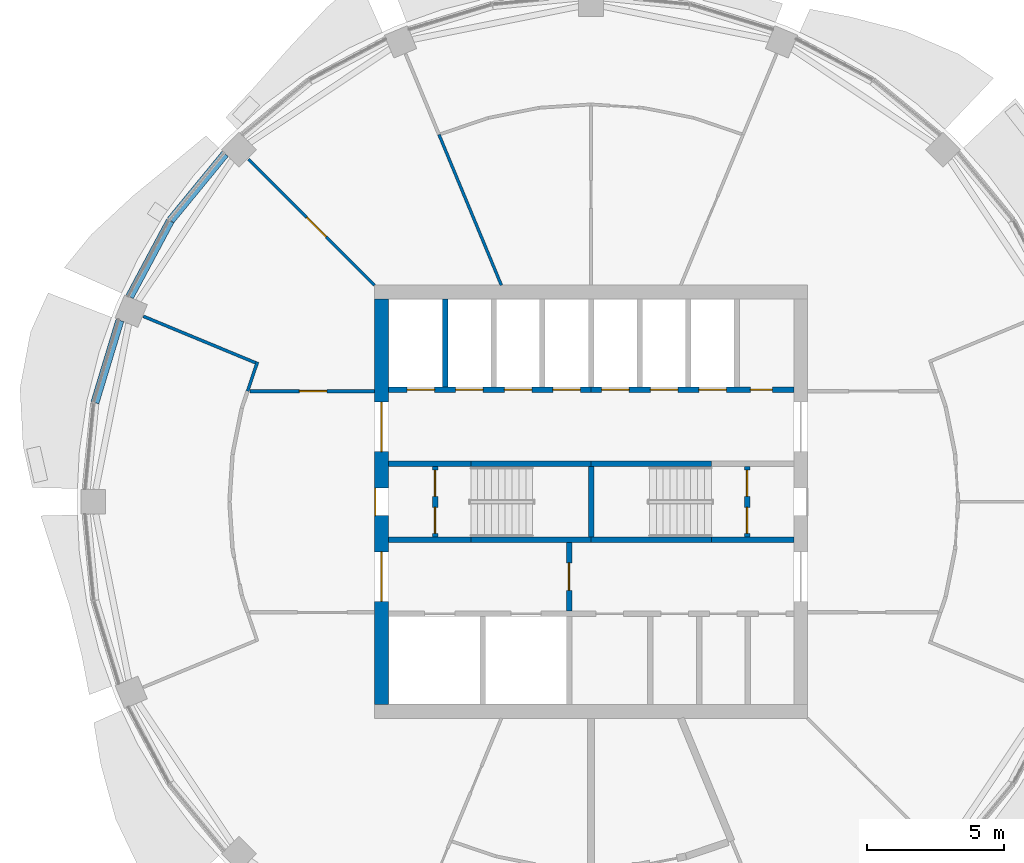
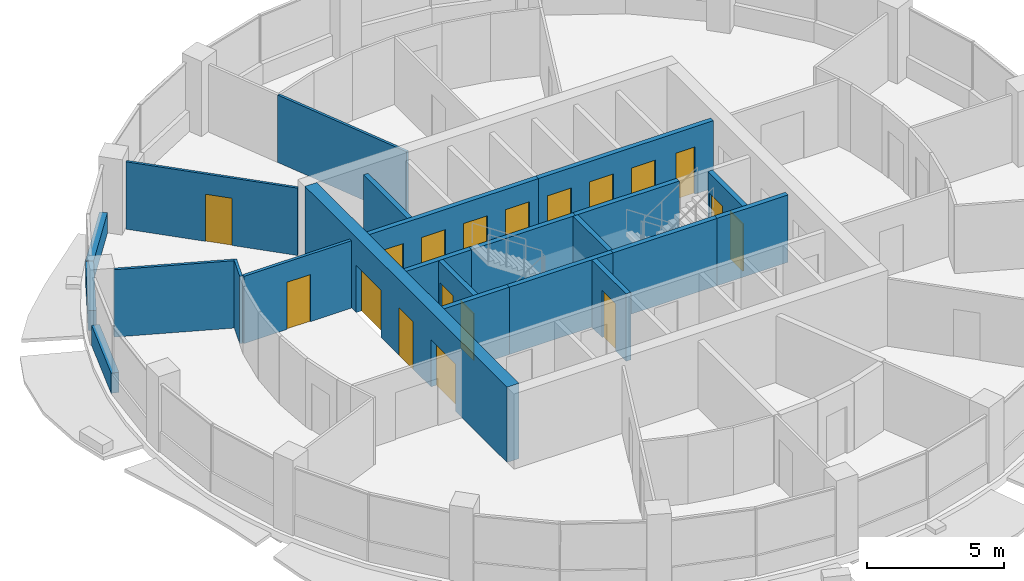
# One storey, part 9 of 15: 23 walls, 18 doors, 18 openings.
"""IFC4 building model written with IfcOpenShell, lengths in metres."""

import ifcopenshell
import ifcopenshell.guid

model = None  # the IFC model being written
_history = None  # IfcOwnerHistory: only IFC2X3 demands one
_inside = {}  # id of a spatial element -> (the spatial element, [elements in it])
_under = {}  # id of a project, library or spatial element -> (it, [spatial elements below it])
_declared = {}  # id of a project -> (the project, [libraries it declares])
_typed = {}  # id of a type object -> (the type object, [elements of that type])
_made_of = {}  # id of a material, layer set ... -> (it, [elements and type objects made of it])


def new_model(schema):
    """Start an empty IFC model of exactly this schema.

    Asked for "IFC4X3", IfcOpenShell would pick the latest addendum, in which some entities
    have other attributes; the version numbers below select the first issue.
    IFC2X3 requires an IfcOwnerHistory on every rooted entity: one is made here for all.
    """
    global model, _history
    if schema == "IFC4X3":
        model = ifcopenshell.file(schema_version=(4, 3, 0, 0))
    else:
        model = ifcopenshell.file(schema=schema)
    _inside.clear()
    _under.clear()
    _declared.clear()
    _typed.clear()
    _made_of.clear()
    _history = None
    if model.schema == "IFC2X3":
        org = make("IfcOrganization", Name="unknown")
        user = make(
            "IfcPersonAndOrganization",
            ThePerson=make("IfcPerson", FamilyName="unknown"),
            TheOrganization=org,
        )
        app = make(
            "IfcApplication",
            ApplicationDeveloper=org,
            Version="unknown",
            ApplicationFullName="unknown",
            ApplicationIdentifier="unknown",
        )
        _history = make(
            "IfcOwnerHistory",
            OwningUser=user,
            OwningApplication=app,
            ChangeAction="ADDED",
            CreationDate=0,
        )
    return model


def make(cls, **values):
    """One entity of the class cls with the attributes given. An attribute that is None is left unset."""
    return model.create_entity(
        cls, **{name: value for name, value in values.items() if value is not None}
    )


def rooted(cls, **values):
    """An entity with a GlobalId (a new one), such as an element, a storey or a relation."""
    return make(cls, GlobalId=ifcopenshell.guid.new(), OwnerHistory=_history, **values)


def si_unit(unit_type, name, prefix=None):
    """IfcSIUnit, for example si_unit("LENGTHUNIT", "METRE", prefix="MILLI")."""
    return make("IfcSIUnit", UnitType=unit_type, Prefix=prefix, Name=name)


def assignment(units):
    """IfcUnitAssignment: the units of a project."""
    return None if units is None else make("IfcUnitAssignment", Units=units)


def point(xyz):
    """IfcCartesianPoint."""
    return None if xyz is None else make("IfcCartesianPoint", Coordinates=xyz)


def direction(xyz):
    """IfcDirection."""
    return None if xyz is None else make("IfcDirection", DirectionRatios=xyz)


def frame(location, z_axis=None, x_axis=None):
    """IfcAxis2Placement3D, a coordinate frame: its origin and axes. An axis left out is left unset."""
    return make(
        "IfcAxis2Placement3D",
        Location=point(location),
        Axis=direction(z_axis),
        RefDirection=direction(x_axis),
    )


def frame_2d(location, x_axis=None):
    """IfcAxis2Placement2D, a coordinate frame in the plane: its origin and x axis."""
    return make(
        "IfcAxis2Placement2D", Location=point(location), RefDirection=direction(x_axis)
    )


def origin():
    """The frame at (0, 0, 0) with its axes left unset."""
    return frame((0.0, 0.0, 0.0))


def place(relative_to, where):
    """IfcLocalPlacement: puts the frame where relative to a parent placement (None: the world)."""
    return make(
        "IfcLocalPlacement", PlacementRelTo=relative_to, RelativePlacement=where
    )


def context(
    kind, dimensions, precision=None, world=None, true_north=None, identifier=None
):
    """IfcGeometricRepresentationContext, for example the 3D "Model" context."""
    return make(
        "IfcGeometricRepresentationContext",
        ContextIdentifier=identifier,
        ContextType=kind,
        CoordinateSpaceDimension=dimensions,
        Precision=precision,
        WorldCoordinateSystem=world,
        TrueNorth=true_north,
    )


def subcontext(parent, identifier, kind, view, scale=None):
    """IfcGeometricRepresentationSubContext, for example "Body" below "Model"."""
    return make(
        "IfcGeometricRepresentationSubContext",
        ContextIdentifier=identifier,
        ContextType=kind,
        ParentContext=parent,
        TargetScale=scale,
        TargetView=view,
    )


def project(units=None, contexts=None):
    """IfcProject with its units and contexts."""
    return rooted(
        "IfcProject",
        Name="project",
        RepresentationContexts=contexts,
        UnitsInContext=assignment(units),
    )


def spatial(cls, under=None, at=None, **own):
    """A site, building, storey or space (cls), placed at a placement, below another one or the project."""
    s = rooted(cls, ObjectPlacement=at, **own)
    if under is not None:
        _under.setdefault(under.id(), (under, []))[1].append(s)
    return s


def profile(cls, at=None, kind="AREA", **sizes):
    """A parametric profile (cls). Its sizes go by their IFC names, for example OverallWidth=200.0."""
    return make(cls, ProfileType=kind, Position=at, **sizes)


def rectangle(**sizes):
    """IfcRectangleProfileDef."""
    return profile("IfcRectangleProfileDef", **sizes)


def extrude(swept, where, along, depth):
    """IfcExtrudedAreaSolid: the profile swept, set in the frame where, extruded along a direction by depth."""
    return make(
        "IfcExtrudedAreaSolid",
        SweptArea=swept,
        Position=where,
        ExtrudedDirection=direction(along),
        Depth=depth,
    )


def shape(context_of_items, identifier, shape_type, items):
    """IfcShapeRepresentation: the items that make up one representation, for example the "Body"."""
    return make(
        "IfcShapeRepresentation",
        ContextOfItems=context_of_items,
        RepresentationIdentifier=identifier,
        RepresentationType=shape_type,
        Items=items,
    )


def material(Name=None, Category=None):
    """IfcMaterial."""
    return make("IfcMaterial", Name=Name, Category=Category)


def layer(
    of_material, thickness, ventilated=None, Name=None, Category=None, Priority=None
):
    """IfcMaterialLayer: one layer of a wall or slab, of a material (None: an air gap)."""
    return make(
        "IfcMaterialLayer",
        Material=of_material,
        LayerThickness=thickness,
        IsVentilated=ventilated,
        Name=Name,
        Category=Category,
        Priority=Priority,
    )


def layer_set(layers, Name=None):
    """IfcMaterialLayerSet."""
    return make("IfcMaterialLayerSet", MaterialLayers=layers, LayerSetName=Name)


def made_of(thing, what):
    """Note that an element or type object is made of a material, layer set ...; save() writes the relation."""
    if what is not None:
        _made_of.setdefault(what.id(), (what, []))[1].append(thing)
    return thing


def type_object(cls, material=None, **own):
    """A type object (cls), such as IfcWallType, which elements share."""
    return made_of(rooted(cls, **own), material)


def element(
    cls,
    number,
    at=None,
    inside=None,
    cuts=None,
    type_object=None,
    material=None,
    context=None,
    identifier="Body",
    shape_type=None,
    held_by="IfcProductDefinitionShape",
    body=None,
    shapes=None,
    **own,
):
    """One element of the class cls, such as IfcWall. Its Tag is "e" and its number.

    at: its placement. inside: the storey or other place that contains it. cuts: it is an
    opening in that element (IfcRelVoidsElement). A single representation is given by context,
    identifier, shape_type and body (its items); several are given by shapes. held_by: the class
    of the entity that holds the representations. save() writes the other relations.
    """
    e = rooted(cls, Tag="e%d" % number, ObjectPlacement=at, **own)
    if body is not None:
        shapes = [shape(context, identifier, shape_type, body)]
    if shapes is not None:
        e.Representation = make(held_by, Representations=shapes)
    if inside is not None:
        _inside.setdefault(inside.id(), (inside, []))[1].append(e)
    if cuts is not None:
        rooted(
            "IfcRelVoidsElement", RelatingBuildingElement=cuts, RelatedOpeningElement=e
        )
    if type_object is not None:
        _typed.setdefault(type_object.id(), (type_object, []))[1].append(e)
    return made_of(e, material)


def fill(opening, filler):
    """IfcRelFillsElement: the door or window that sits in an opening."""
    return rooted(
        "IfcRelFillsElement",
        RelatingOpeningElement=opening,
        RelatedBuildingElement=filler,
    )


def aggregate(whole, parts):
    """IfcRelAggregates: a whole, such as a stair, and the parts it consists of."""
    return rooted("IfcRelAggregates", RelatingObject=whole, RelatedObjects=parts)


def save(model, path):
    """Write the relations noted so far, then the file.

    IfcRelAggregates (storeys below a building ...), IfcRelContainedInSpatialStructure (elements
    in a storey), IfcRelDefinesByType, IfcRelAssociatesMaterial and IfcRelDeclares: one each for
    every whole, place, type object, material and project.
    """
    for whole, parts in _under.values():
        aggregate(whole, parts)
    for where, things in _inside.values():
        rooted(
            "IfcRelContainedInSpatialStructure",
            RelatedElements=things,
            RelatingStructure=where,
        )
    for kind, things in _typed.values():
        rooted("IfcRelDefinesByType", RelatedObjects=things, RelatingType=kind)
    for what, things in _made_of.values():
        rooted("IfcRelAssociatesMaterial", RelatedObjects=things, RelatingMaterial=what)
    for by, libraries in _declared.values():
        rooted("IfcRelDeclares", RelatingContext=by, RelatedDefinitions=libraries)
    model.write(path)


model = new_model("IFC4")

# Units and contexts
model_context = context("Model", 3, precision=1e-05, world=origin(), true_north=direction((0.0, 1.0)))
body_context = subcontext(model_context, "Body", "Model", "MODEL_VIEW")
ifc_project = project(units=[si_unit("LENGTHUNIT", "METRE"), si_unit("AREAUNIT", "SQUARE_METRE"), si_unit("VOLUMEUNIT", "CUBIC_METRE"), si_unit("PLANEANGLEUNIT", "RADIAN"), si_unit("MASSUNIT", "GRAM", prefix="KILO")], contexts=[model_context])

# Site, building, storey
site_placement = place(None, origin())
site = spatial("IfcSite", under=ifc_project, at=site_placement, CompositionType="ELEMENT")
building_placement = place(site_placement, origin())
building = spatial("IfcBuilding", under=site, at=building_placement, Name="Polderwave Tower", CompositionType="ELEMENT")
storey_placement = place(building_placement, frame((0.0, 0.0, 167.550048828125)))
storey = spatial("IfcBuildingStorey", under=building, at=storey_placement, Name="L44", CompositionType="ELEMENT", Elevation=167.550048828125)

# Wall, openings, doors
ifc_material_1 = material(Name="Concrete C60/75", Category="concrete")
ifc_layer_1 = layer(ifc_material_1, 0.5)
ifc_layer_set_1 = layer_set([ifc_layer_1], Name="CORE WALL 500 C60/75")
wall_type_1 = type_object("IfcWallType", Name="CORE WALL 500 C60/75", PredefinedType="SHEAR", material=ifc_layer_set_1)
wall_1_placement = place(storey_placement, frame((-7.6240234375, -7.3740234375, 0.0), z_axis=(0.0, 0.0, 1.0), x_axis=(0.0, 1.0, 0.0)))
wall_1 = element("IfcWall", 1, at=wall_1_placement, inside=storey, type_object=wall_type_1, Name="ST-CORE-L44-W", PredefinedType="SHEAR", context=body_context, shape_type="SweptSolid", body=[
    extrude(rectangle(XDim=14.748046875, YDim=0.5, at=frame_2d((7.3740234375, 0.0))), origin(), (0.0, 0.0, 1.0), 3.349853515625),
])
opening_1_placement = place(wall_1_placement, frame((6.8740234375, 0.0, 0.0)))
opening_1 = element("IfcOpeningElement", 2, at=opening_1_placement, cuts=wall_1, Name="Opening L44-D20", PredefinedType="OPENING", context=body_context, shape_type="SweptSolid", body=[
    extrude(rectangle(XDim=1.0, YDim=2.10009765625, at=frame_2d((0.5, 1.050048828125))), frame((0.0, 0.260009765625, 0.0), z_axis=(0.0, -1.0, 0.0), x_axis=(1.0, 0.0, 0.0)), (0.0, 0.0, 1.0), 0.52001953125),
])
opening_2_placement = place(wall_1_placement, frame((3.74951171875, 0.0, 0.0)))
opening_2 = element("IfcOpeningElement", 3, at=opening_2_placement, cuts=wall_1, Name="Opening L44-D21", PredefinedType="OPENING", context=body_context, shape_type="SweptSolid", body=[
    extrude(rectangle(XDim=1.800048828125, YDim=2.10009765625, at=frame_2d((0.89990234375, 1.050048828125))), frame((0.0, 0.260009765625, 0.0), z_axis=(0.0, -1.0, 0.0), x_axis=(1.0, 0.0, 0.0)), (0.0, 0.0, 1.0), 0.52001953125),
])
opening_3_placement = place(wall_1_placement, frame((9.198486328125, 0.0, 0.0)))
opening_3 = element("IfcOpeningElement", 4, at=opening_3_placement, cuts=wall_1, Name="Opening L44-D22", PredefinedType="OPENING", context=body_context, shape_type="SweptSolid", body=[
    extrude(rectangle(XDim=1.800048828125, YDim=2.10009765625, at=frame_2d((0.89990234375, 1.050048828125))), frame((0.0, 0.260009765625, 0.0), z_axis=(0.0, -1.0, 0.0), x_axis=(1.0, 0.0, 0.0)), (0.0, 0.0, 1.0), 0.52001953125),
])
ifc_material_2 = material(Name="Steel fire door", Category="steel")
door_type_1 = type_object("IfcDoorType", Name="Lobby entry door pair 1800", OperationType="DOUBLE_DOOR_SINGLE_SWING", PredefinedType="DOOR", material=ifc_material_2)
door_1_placement = place(opening_2_placement, origin())
door_1 = element("IfcDoor", 5, at=door_1_placement, inside=storey, type_object=door_type_1, Name="Fire-fighting lobby entry door", OperationType="DOUBLE_DOOR_SINGLE_SWING", OverallHeight=2.10009765625, OverallWidth=1.800048828125, PredefinedType="DOOR", context=body_context, shape_type="SweptSolid", body=[
    extrude(rectangle(XDim=1.800048828125, YDim=2.10009765625, at=frame_2d((0.89990234375, 1.050048828125))), frame((0.0, 0.02490234375, 0.0), z_axis=(0.0, -1.0, 0.0), x_axis=(1.0, 0.0, 0.0)), (0.0, 0.0, 1.0), 0.050048828125),
])
fill(opening_2, door_1)
door_2_placement = place(opening_3_placement, origin())
door_2 = element("IfcDoor", 6, at=door_2_placement, inside=storey, type_object=door_type_1, Name="North lobby entry door", OperationType="DOUBLE_DOOR_SINGLE_SWING", OverallHeight=2.10009765625, OverallWidth=1.800048828125, PredefinedType="DOOR", context=body_context, shape_type="SweptSolid", body=[
    extrude(rectangle(XDim=1.800048828125, YDim=2.10009765625, at=frame_2d((0.89990234375, 1.050048828125))), frame((0.0, 0.02490234375, 0.0), z_axis=(0.0, -1.0, 0.0), x_axis=(1.0, 0.0, 0.0)), (0.0, 0.0, 1.0), 0.050048828125),
])
fill(opening_3, door_2)
door_type_2 = type_object("IfcDoorType", Name="Stair door 1000", OperationType="NOTDEFINED", PredefinedType="DOOR", material=ifc_material_2)
door_3_placement = place(opening_1_placement, origin())
door_3 = element("IfcDoor", 7, at=door_3_placement, inside=storey, type_object=door_type_2, Name="Stair A entry door", OperationType="SINGLE_SWING_RIGHT", OverallHeight=2.10009765625, OverallWidth=1.0, PredefinedType="DOOR", context=body_context, shape_type="SweptSolid", body=[
    extrude(rectangle(XDim=1.0, YDim=2.10009765625, at=frame_2d((0.5, 1.050048828125))), frame((0.0, 0.25, 0.0), z_axis=(0.0, -1.0, 0.0), x_axis=(1.0, 0.0, 0.0)), (0.0, 0.0, 1.0), 0.050048828125),
])
fill(opening_1, door_3)

# Walls
ifc_material_3 = material(Name="Concrete C50/60 (board-marked)", Category="concrete")
ifc_layer_2 = layer(ifc_material_3, 0.300048828125)
ifc_layer_set_2 = layer_set([ifc_layer_2], Name="Concrete spandrel upstand C50/60")
wall_type_2 = type_object("IfcWallType", Name="Concrete spandrel upstand C50/60", PredefinedType="SOLIDWALL", material=ifc_layer_set_2)
wall_2_placement = place(storey_placement, frame((-13.306396484375, 12.6513671875, 0.0), z_axis=(0.0, 0.0, 1.0), x_axis=(-0.634198158195, -0.773170547901, 0.0)))
element("IfcWall", 8, at=wall_2_placement, inside=storey, type_object=wall_type_2, Name="Spandrel L44 7a", PredefinedType="SOLIDWALL", context=body_context, shape_type="SweptSolid", body=[
    extrude(rectangle(XDim=3.126953125, YDim=0.300048828125, at=frame_2d((1.5634765625, 0.0))), origin(), (0.0, 0.0, 1.0), 0.89990234375),
])
wall_3_placement = place(storey_placement, frame((-15.30615234375, 10.208740234375, 0.0), z_axis=(0.0, 0.0, 1.0), x_axis=(-0.47120441036, -0.882024038027, 0.0)))
element("IfcWall", 9, at=wall_3_placement, inside=storey, type_object=wall_type_2, Name="Spandrel L44 7b", PredefinedType="SOLIDWALL", context=body_context, shape_type="SweptSolid", body=[
    extrude(rectangle(XDim=3.125244140625, YDim=0.300048828125, at=frame_2d((1.5625, 0.0))), origin(), (0.0, 0.0, 1.0), 0.89990234375),
])
wall_4_placement = place(storey_placement, frame((-17.134521484375, 6.595703125, 0.0), z_axis=(0.0, 0.0, 1.0), x_axis=(-0.290083245834, -0.957001416136, 0.0)))
element("IfcWall", 10, at=wall_4_placement, inside=storey, type_object=wall_type_2, Name="Spandrel L44 8a", PredefinedType="SOLIDWALL", context=body_context, shape_type="SweptSolid", body=[
    extrude(rectangle(XDim=3.126708984375, YDim=0.300048828125, at=frame_2d((1.5634765625, 0.0))), origin(), (0.0, 0.0, 1.0), 0.89990234375),
])

# Wall, opening, door
ifc_material_4 = material(Name="Gypsum board partition")
ifc_layer_3 = layer(ifc_material_4, 0.199951171875)
ifc_layer_set_3 = layer_set([ifc_layer_3], Name="Core room partition 200")
wall_type_3 = type_object("IfcWallType", Name="Core room partition 200", PredefinedType="PARTITIONING", material=ifc_layer_set_3)
wall_5_placement = place(storey_placement, frame((-0.800048828125, -3.97412109375, 0.0), z_axis=(0.0, 0.0, 1.0), x_axis=(0.0, 1.0, 0.0)))
wall_5 = element("IfcWall", 11, at=wall_5_placement, inside=storey, type_object=wall_type_3, Name="L44 fire-fighting lobby wall", PredefinedType="PARTITIONING", context=body_context, shape_type="SweptSolid", body=[
    extrude(rectangle(XDim=2.4990234375, YDim=0.199951171875, at=frame_2d((1.24951171875, 0.0))), origin(), (0.0, 0.0, 1.0), 3.0),
])
opening_4_placement = place(wall_5_placement, frame((0.74951171875, 0.0, 0.0)))
opening_4 = element("IfcOpeningElement", 12, at=opening_4_placement, cuts=wall_5, Name="Opening L44-D14", PredefinedType="OPENING", context=body_context, shape_type="SweptSolid", body=[
    extrude(rectangle(XDim=1.0, YDim=2.10009765625, at=frame_2d((0.5, 1.050048828125))), frame((0.0, 0.10986328125, 0.0), z_axis=(0.0, -1.0, 0.0), x_axis=(1.0, 0.0, 0.0)), (0.0, 0.0, 1.0), 0.219970703125),
])
door_type_3 = type_object("IfcDoorType", Name="Lobby fire door 1000", OperationType="NOTDEFINED", PredefinedType="DOOR", material=ifc_material_2)
door_4_placement = place(opening_4_placement, frame((1.0, 0.0, 0.0), z_axis=(0.0, 0.0, 1.0), x_axis=(-1.0, 0.0, 0.0)))
door_4 = element("IfcDoor", 13, at=door_4_placement, inside=storey, type_object=door_type_3, Name="Fire-fighting lobby door", OperationType="SINGLE_SWING_LEFT", OverallHeight=2.10009765625, OverallWidth=1.0, PredefinedType="DOOR", context=body_context, shape_type="SweptSolid", body=[
    extrude(rectangle(XDim=1.0, YDim=2.10009765625, at=frame_2d((0.5, 1.050048828125))), frame((0.0, 0.02490234375, 0.0), z_axis=(0.0, -1.0, 0.0), x_axis=(1.0, 0.0, 0.0)), (0.0, 0.0, 1.0), 0.050048828125),
])
fill(opening_4, door_4)

# Wall, openings, doors
wall_6_placement = place(storey_placement, frame((-5.674072265625, -1.27490234375, 0.0), z_axis=(0.0, 0.0, 1.0), x_axis=(0.0, 1.0, 0.0)))
wall_6 = element("IfcWall", 14, at=wall_6_placement, inside=storey, type_object=wall_type_3, Name="L44 smoke lobby wall A", PredefinedType="PARTITIONING", context=body_context, shape_type="SweptSolid", body=[
    extrude(rectangle(XDim=2.5498046875, YDim=0.199951171875, at=frame_2d((1.27490234375, 0.0))), origin(), (0.0, 0.0, 1.0), 3.0),
])
opening_5_placement = place(wall_6_placement, frame((0.125, 0.0, 0.0)))
opening_5 = element("IfcOpeningElement", 15, at=opening_5_placement, cuts=wall_6, Name="Opening L44-D10", PredefinedType="OPENING", context=body_context, shape_type="SweptSolid", body=[
    extrude(rectangle(XDim=0.949951171875, YDim=2.10009765625, at=frame_2d((0.47509765625, 1.050048828125))), frame((0.0, 0.10986328125, 0.0), z_axis=(0.0, -1.0, 0.0), x_axis=(1.0, 0.0, 0.0)), (0.0, 0.0, 1.0), 0.219970703125),
])
opening_6_placement = place(wall_6_placement, frame((1.47509765625, 0.0, 0.0)))
opening_6 = element("IfcOpeningElement", 16, at=opening_6_placement, cuts=wall_6, Name="Opening L44-D11", PredefinedType="OPENING", context=body_context, shape_type="SweptSolid", body=[
    extrude(rectangle(XDim=0.949951171875, YDim=2.10009765625, at=frame_2d((0.47509765625, 1.050048828125))), frame((0.0, 0.10986328125, 0.0), z_axis=(0.0, -1.0, 0.0), x_axis=(1.0, 0.0, 0.0)), (0.0, 0.0, 1.0), 0.219970703125),
])
door_type_4 = type_object("IfcDoorType", Name="Smoke lobby door 950", OperationType="NOTDEFINED", PredefinedType="DOOR", material=ifc_material_2)
door_5_placement = place(opening_5_placement, origin())
door_5 = element("IfcDoor", 17, at=door_5_placement, inside=storey, type_object=door_type_4, Name="Stair A smoke lobby inner door", OperationType="SINGLE_SWING_LEFT", OverallHeight=2.10009765625, OverallWidth=0.949951171875, PredefinedType="DOOR", context=body_context, shape_type="SweptSolid", body=[
    extrude(rectangle(XDim=0.949951171875, YDim=2.10009765625, at=frame_2d((0.47509765625, 1.050048828125))), frame((0.0, 0.02490234375, 0.0), z_axis=(0.0, -1.0, 0.0), x_axis=(1.0, 0.0, 0.0)), (0.0, 0.0, 1.0), 0.050048828125),
])
fill(opening_5, door_5)
door_6_placement = place(opening_6_placement, origin())
door_6 = element("IfcDoor", 18, at=door_6_placement, inside=storey, type_object=door_type_4, Name="Stair A smoke lobby inner door", OperationType="SINGLE_SWING_RIGHT", OverallHeight=2.10009765625, OverallWidth=0.949951171875, PredefinedType="DOOR", context=body_context, shape_type="SweptSolid", body=[
    extrude(rectangle(XDim=0.949951171875, YDim=2.10009765625, at=frame_2d((0.47509765625, 1.050048828125))), frame((0.0, 0.02490234375, 0.0), z_axis=(0.0, -1.0, 0.0), x_axis=(1.0, 0.0, 0.0)), (0.0, 0.0, 1.0), 0.050048828125),
])
fill(opening_6, door_6)

wall_7_placement = place(storey_placement, frame((5.674072265625, -1.27490234375, 0.0), z_axis=(0.0, 0.0, 1.0), x_axis=(0.0, 1.0, 0.0)))
wall_7 = element("IfcWall", 19, at=wall_7_placement, inside=storey, type_object=wall_type_3, Name="L44 smoke lobby wall B", PredefinedType="PARTITIONING", context=body_context, shape_type="SweptSolid", body=[
    extrude(rectangle(XDim=2.5498046875, YDim=0.199951171875, at=frame_2d((1.27490234375, 0.0))), origin(), (0.0, 0.0, 1.0), 3.0),
])
opening_7_placement = place(wall_7_placement, frame((0.125, 0.0, 0.0)))
opening_7 = element("IfcOpeningElement", 20, at=opening_7_placement, cuts=wall_7, Name="Opening L44-D12", PredefinedType="OPENING", context=body_context, shape_type="SweptSolid", body=[
    extrude(rectangle(XDim=0.949951171875, YDim=2.10009765625, at=frame_2d((0.47509765625, 1.050048828125))), frame((0.0, 0.10986328125, 0.0), z_axis=(0.0, -1.0, 0.0), x_axis=(1.0, 0.0, 0.0)), (0.0, 0.0, 1.0), 0.219970703125),
])
opening_8_placement = place(wall_7_placement, frame((1.47509765625, 0.0, 0.0)))
opening_8 = element("IfcOpeningElement", 21, at=opening_8_placement, cuts=wall_7, Name="Opening L44-D13", PredefinedType="OPENING", context=body_context, shape_type="SweptSolid", body=[
    extrude(rectangle(XDim=0.949951171875, YDim=2.10009765625, at=frame_2d((0.47509765625, 1.050048828125))), frame((0.0, 0.10986328125, 0.0), z_axis=(0.0, -1.0, 0.0), x_axis=(1.0, 0.0, 0.0)), (0.0, 0.0, 1.0), 0.219970703125),
])
door_7_placement = place(opening_7_placement, frame((0.949951171875, 0.0, 0.0), z_axis=(0.0, 0.0, 1.0), x_axis=(-1.0, 0.0, 0.0)))
door_7 = element("IfcDoor", 22, at=door_7_placement, inside=storey, type_object=door_type_4, Name="Stair B smoke lobby inner door", OperationType="SINGLE_SWING_RIGHT", OverallHeight=2.10009765625, OverallWidth=0.949951171875, PredefinedType="DOOR", context=body_context, shape_type="SweptSolid", body=[
    extrude(rectangle(XDim=0.949951171875, YDim=2.10009765625, at=frame_2d((0.47509765625, 1.050048828125))), frame((0.0, 0.02490234375, 0.0), z_axis=(0.0, -1.0, 0.0), x_axis=(1.0, 0.0, 0.0)), (0.0, 0.0, 1.0), 0.050048828125),
])
fill(opening_7, door_7)
door_8_placement = place(opening_8_placement, frame((0.949951171875, 0.0, 0.0), z_axis=(0.0, 0.0, 1.0), x_axis=(-1.0, 0.0, 0.0)))
door_8 = element("IfcDoor", 23, at=door_8_placement, inside=storey, type_object=door_type_4, Name="Stair B smoke lobby inner door", OperationType="SINGLE_SWING_LEFT", OverallHeight=2.10009765625, OverallWidth=0.949951171875, PredefinedType="DOOR", context=body_context, shape_type="SweptSolid", body=[
    extrude(rectangle(XDim=0.949951171875, YDim=2.10009765625, at=frame_2d((0.47509765625, 1.050048828125))), frame((0.0, 0.02490234375, 0.0), z_axis=(0.0, -1.0, 0.0), x_axis=(1.0, 0.0, 0.0)), (0.0, 0.0, 1.0), 0.050048828125),
])
fill(opening_8, door_8)

ifc_material_5 = material(Name="Concrete C50/60", Category="concrete")
ifc_layer_4 = layer(ifc_material_5, 0.199951171875)
ifc_layer_set_4 = layer_set([ifc_layer_4], Name="Core web wall 200")
wall_type_4 = type_object("IfcWallType", Name="Core web wall 200", PredefinedType="SHEAR", material=ifc_layer_set_4)
wall_8_placement = place(storey_placement, frame((-7.3740234375, 4.073974609375, 0.0), z_axis=(0.0, 0.0, 1.0), x_axis=(1.0, 0.0, 0.0)))
wall_8 = element("IfcWall", 24, at=wall_8_placement, inside=storey, type_object=wall_type_4, Name="L44 north front wall 1", PredefinedType="SHEAR", context=body_context, shape_type="SweptSolid", body=[
    extrude(rectangle(XDim=7.3740234375, YDim=0.199951171875, at=frame_2d((3.68701171875, 0.0))), origin(), (0.0, 0.0, 1.0), 3.0),
])
opening_9_placement = place(wall_8_placement, frame((0.68408203125, 0.0, 0.0)))
opening_9 = element("IfcOpeningElement", 25, at=opening_9_placement, cuts=wall_8, Name="Opening L44-D03", PredefinedType="OPENING", context=body_context, shape_type="SweptSolid", body=[
    extrude(rectangle(XDim=1.0, YDim=2.10009765625, at=frame_2d((0.5, 1.050048828125))), frame((0.0, 0.10986328125, 0.0), z_axis=(0.0, -1.0, 0.0), x_axis=(1.0, 0.0, 0.0)), (0.0, 0.0, 1.0), 0.219970703125),
])
opening_10_placement = place(wall_8_placement, frame((2.45263671875, 0.0, 0.0)))
opening_10 = element("IfcOpeningElement", 26, at=opening_10_placement, cuts=wall_8, Name="Opening L44-D04", PredefinedType="OPENING", context=body_context, shape_type="SweptSolid", body=[
    extrude(rectangle(XDim=1.0, YDim=2.10009765625, at=frame_2d((0.5, 1.050048828125))), frame((0.0, 0.10986328125, 0.0), z_axis=(0.0, -1.0, 0.0), x_axis=(1.0, 0.0, 0.0)), (0.0, 0.0, 1.0), 0.219970703125),
])
opening_11_placement = place(wall_8_placement, frame((4.22119140625, 0.0, 0.0)))
opening_11 = element("IfcOpeningElement", 27, at=opening_11_placement, cuts=wall_8, Name="Opening L44-D05", PredefinedType="OPENING", context=body_context, shape_type="SweptSolid", body=[
    extrude(rectangle(XDim=1.0, YDim=2.10009765625, at=frame_2d((0.5, 1.050048828125))), frame((0.0, 0.10986328125, 0.0), z_axis=(0.0, -1.0, 0.0), x_axis=(1.0, 0.0, 0.0)), (0.0, 0.0, 1.0), 0.219970703125),
])
opening_12_placement = place(wall_8_placement, frame((5.98974609375, 0.0, 0.0)))
opening_12 = element("IfcOpeningElement", 28, at=opening_12_placement, cuts=wall_8, Name="Opening L44-D06", PredefinedType="OPENING", context=body_context, shape_type="SweptSolid", body=[
    extrude(rectangle(XDim=1.0, YDim=2.10009765625, at=frame_2d((0.5, 1.050048828125))), frame((0.0, 0.10986328125, 0.0), z_axis=(0.0, -1.0, 0.0), x_axis=(1.0, 0.0, 0.0)), (0.0, 0.0, 1.0), 0.219970703125),
])
ifc_material_6 = material(Name="Stainless steel", Category="steel")
door_type_5 = type_object("IfcDoorType", Name="Lift landing door 1000", OperationType="DOUBLE_DOOR_SLIDING", PredefinedType="DOOR", material=ifc_material_6)
door_9_placement = place(opening_9_placement, frame((1.0, 0.0, 0.0), z_axis=(0.0, 0.0, 1.0), x_axis=(-1.0, 0.0, 0.0)))
door_9 = element("IfcDoor", 29, at=door_9_placement, inside=storey, type_object=door_type_5, Name="Lift HL1 landing door", OperationType="DOUBLE_DOOR_SLIDING", OverallHeight=2.10009765625, OverallWidth=1.0, PredefinedType="DOOR", context=body_context, shape_type="SweptSolid", body=[
    extrude(rectangle(XDim=1.0, YDim=2.10009765625, at=frame_2d((0.5, 1.050048828125))), frame((0.0, 0.02490234375, 0.0), z_axis=(0.0, -1.0, 0.0), x_axis=(1.0, 0.0, 0.0)), (0.0, 0.0, 1.0), 0.050048828125),
])
fill(opening_9, door_9)
door_10_placement = place(opening_10_placement, frame((1.0, 0.0, 0.0), z_axis=(0.0, 0.0, 1.0), x_axis=(-1.0, 0.0, 0.0)))
door_10 = element("IfcDoor", 30, at=door_10_placement, inside=storey, type_object=door_type_5, Name="Lift HL2 landing door", OperationType="DOUBLE_DOOR_SLIDING", OverallHeight=2.10009765625, OverallWidth=1.0, PredefinedType="DOOR", context=body_context, shape_type="SweptSolid", body=[
    extrude(rectangle(XDim=1.0, YDim=2.10009765625, at=frame_2d((0.5, 1.050048828125))), frame((0.0, 0.02490234375, 0.0), z_axis=(0.0, -1.0, 0.0), x_axis=(1.0, 0.0, 0.0)), (0.0, 0.0, 1.0), 0.050048828125),
])
fill(opening_10, door_10)
door_11_placement = place(opening_11_placement, frame((1.0, 0.0, 0.0), z_axis=(0.0, 0.0, 1.0), x_axis=(-1.0, 0.0, 0.0)))
door_11 = element("IfcDoor", 31, at=door_11_placement, inside=storey, type_object=door_type_5, Name="Lift HL3 landing door", OperationType="DOUBLE_DOOR_SLIDING", OverallHeight=2.10009765625, OverallWidth=1.0, PredefinedType="DOOR", context=body_context, shape_type="SweptSolid", body=[
    extrude(rectangle(XDim=1.0, YDim=2.10009765625, at=frame_2d((0.5, 1.050048828125))), frame((0.0, 0.02490234375, 0.0), z_axis=(0.0, -1.0, 0.0), x_axis=(1.0, 0.0, 0.0)), (0.0, 0.0, 1.0), 0.050048828125),
])
fill(opening_11, door_11)
door_12_placement = place(opening_12_placement, frame((1.0, 0.0, 0.0), z_axis=(0.0, 0.0, 1.0), x_axis=(-1.0, 0.0, 0.0)))
door_12 = element("IfcDoor", 32, at=door_12_placement, inside=storey, type_object=door_type_5, Name="Lift HL4 landing door", OperationType="DOUBLE_DOOR_SLIDING", OverallHeight=2.10009765625, OverallWidth=1.0, PredefinedType="DOOR", context=body_context, shape_type="SweptSolid", body=[
    extrude(rectangle(XDim=1.0, YDim=2.10009765625, at=frame_2d((0.5, 1.050048828125))), frame((0.0, 0.02490234375, 0.0), z_axis=(0.0, -1.0, 0.0), x_axis=(1.0, 0.0, 0.0)), (0.0, 0.0, 1.0), 0.050048828125),
])
fill(opening_12, door_12)

wall_9_placement = place(storey_placement, frame((0.0, 4.073974609375, 0.0), z_axis=(0.0, 0.0, 1.0), x_axis=(1.0, 0.0, 0.0)))
wall_9 = element("IfcWall", 33, at=wall_9_placement, inside=storey, type_object=wall_type_4, Name="L44 north front wall 2", PredefinedType="SHEAR", context=body_context, shape_type="SweptSolid", body=[
    extrude(rectangle(XDim=7.3740234375, YDim=0.199951171875, at=frame_2d((3.68701171875, 0.0))), origin(), (0.0, 0.0, 1.0), 3.0),
])
opening_13_placement = place(wall_9_placement, frame((0.38427734375, 0.0, 0.0)))
opening_13 = element("IfcOpeningElement", 34, at=opening_13_placement, cuts=wall_9, Name="Opening L44-D07", PredefinedType="OPENING", context=body_context, shape_type="SweptSolid", body=[
    extrude(rectangle(XDim=1.0, YDim=2.10009765625, at=frame_2d((0.5, 1.050048828125))), frame((0.0, 0.10986328125, 0.0), z_axis=(0.0, -1.0, 0.0), x_axis=(1.0, 0.0, 0.0)), (0.0, 0.0, 1.0), 0.219970703125),
])
opening_14_placement = place(wall_9_placement, frame((2.15283203125, 0.0, 0.0)))
opening_14 = element("IfcOpeningElement", 35, at=opening_14_placement, cuts=wall_9, Name="Opening L44-D08", PredefinedType="OPENING", context=body_context, shape_type="SweptSolid", body=[
    extrude(rectangle(XDim=1.0, YDim=2.10009765625, at=frame_2d((0.5, 1.050048828125))), frame((0.0, 0.10986328125, 0.0), z_axis=(0.0, -1.0, 0.0), x_axis=(1.0, 0.0, 0.0)), (0.0, 0.0, 1.0), 0.219970703125),
])
opening_15_placement = place(wall_9_placement, frame((3.921142578125, 0.0, 0.0)))
opening_15 = element("IfcOpeningElement", 36, at=opening_15_placement, cuts=wall_9, Name="Opening L44-D09", PredefinedType="OPENING", context=body_context, shape_type="SweptSolid", body=[
    extrude(rectangle(XDim=1.0, YDim=2.10009765625, at=frame_2d((0.5, 1.050048828125))), frame((0.0, 0.10986328125, 0.0), z_axis=(0.0, -1.0, 0.0), x_axis=(1.0, 0.0, 0.0)), (0.0, 0.0, 1.0), 0.219970703125),
])
opening_16_placement = place(wall_9_placement, frame((5.789794921875, 0.0, 0.0)))
opening_16 = element("IfcOpeningElement", 37, at=opening_16_placement, cuts=wall_9, Name="Opening L44-D19", PredefinedType="OPENING", context=body_context, shape_type="SweptSolid", body=[
    extrude(rectangle(XDim=0.800048828125, YDim=2.10009765625, at=frame_2d((0.39990234375, 1.050048828125))), frame((0.0, 0.10986328125, 0.0), z_axis=(0.0, -1.0, 0.0), x_axis=(1.0, 0.0, 0.0)), (0.0, 0.0, 1.0), 0.219970703125),
])
door_13_placement = place(opening_13_placement, frame((1.0, 0.0, 0.0), z_axis=(0.0, 0.0, 1.0), x_axis=(-1.0, 0.0, 0.0)))
door_13 = element("IfcDoor", 38, at=door_13_placement, inside=storey, type_object=door_type_5, Name="Lift HL5 landing door", OperationType="DOUBLE_DOOR_SLIDING", OverallHeight=2.10009765625, OverallWidth=1.0, PredefinedType="DOOR", context=body_context, shape_type="SweptSolid", body=[
    extrude(rectangle(XDim=1.0, YDim=2.10009765625, at=frame_2d((0.5, 1.050048828125))), frame((0.0, 0.02490234375, 0.0), z_axis=(0.0, -1.0, 0.0), x_axis=(1.0, 0.0, 0.0)), (0.0, 0.0, 1.0), 0.050048828125),
])
fill(opening_13, door_13)
door_14_placement = place(opening_14_placement, frame((1.0, 0.0, 0.0), z_axis=(0.0, 0.0, 1.0), x_axis=(-1.0, 0.0, 0.0)))
door_14 = element("IfcDoor", 39, at=door_14_placement, inside=storey, type_object=door_type_5, Name="Lift HL6 landing door", OperationType="DOUBLE_DOOR_SLIDING", OverallHeight=2.10009765625, OverallWidth=1.0, PredefinedType="DOOR", context=body_context, shape_type="SweptSolid", body=[
    extrude(rectangle(XDim=1.0, YDim=2.10009765625, at=frame_2d((0.5, 1.050048828125))), frame((0.0, 0.02490234375, 0.0), z_axis=(0.0, -1.0, 0.0), x_axis=(1.0, 0.0, 0.0)), (0.0, 0.0, 1.0), 0.050048828125),
])
fill(opening_14, door_14)
door_15_placement = place(opening_15_placement, frame((1.0, 0.0, 0.0), z_axis=(0.0, 0.0, 1.0), x_axis=(-1.0, 0.0, 0.0)))
door_15 = element("IfcDoor", 40, at=door_15_placement, inside=storey, type_object=door_type_5, Name="Lift HL7 landing door", OperationType="DOUBLE_DOOR_SLIDING", OverallHeight=2.10009765625, OverallWidth=1.0, PredefinedType="DOOR", context=body_context, shape_type="SweptSolid", body=[
    extrude(rectangle(XDim=1.0, YDim=2.10009765625, at=frame_2d((0.5, 1.050048828125))), frame((0.0, 0.02490234375, 0.0), z_axis=(0.0, -1.0, 0.0), x_axis=(1.0, 0.0, 0.0)), (0.0, 0.0, 1.0), 0.050048828125),
])
fill(opening_15, door_15)
door_type_6 = type_object("IfcDoorType", Name="Riser door 800", OperationType="NOTDEFINED", PredefinedType="DOOR", material=ifc_material_2)
door_16_placement = place(opening_16_placement, frame((0.800048828125, 0.0, 0.0), z_axis=(0.0, 0.0, 1.0), x_axis=(-1.0, 0.0, 0.0)))
door_16 = element("IfcDoor", 41, at=door_16_placement, inside=storey, type_object=door_type_6, Name="Riser door", OperationType="SINGLE_SWING_LEFT", OverallHeight=2.10009765625, OverallWidth=0.800048828125, PredefinedType="DOOR", context=body_context, shape_type="SweptSolid", body=[
    extrude(rectangle(XDim=0.800048828125, YDim=2.10009765625, at=frame_2d((0.39990234375, 1.050048828125))), frame((0.0, 0.02490234375, 0.0), z_axis=(0.0, -1.0, 0.0), x_axis=(1.0, 0.0, 0.0)), (0.0, 0.0, 1.0), 0.050048828125),
])
fill(opening_16, door_16)

# Walls
wall_10_placement = place(storey_placement, frame((-7.3740234375, -1.375, 0.0), z_axis=(0.0, 0.0, 1.0), x_axis=(1.0, 0.0, 0.0)))
element("IfcWall", 42, at=wall_10_placement, inside=storey, type_object=wall_type_4, Name="L44 south stair wall 1", PredefinedType="SHEAR", context=body_context, shape_type="SweptSolid", body=[
    extrude(rectangle(XDim=3.0, YDim=0.199951171875, at=frame_2d((1.5, 0.0))), origin(), (0.0, 0.0, 1.0), 3.0),
])
for number, where, z_axis, x_axis, name in (
    (43, (-4.3740234375, -1.375, 0.0), (0.0, 0.0, 1.0), (1.0, 0.0, 0.0), "L44 south stair wall 2"),
    (44, (0.0, -1.375, 0.0), (0.0, 0.0, 1.0), (1.0, 0.0, 0.0), "L44 south stair wall 3"),
):
    element("IfcWall", number, at=place(storey_placement, frame(where, z_axis=z_axis, x_axis=x_axis)), inside=storey, type_object=wall_type_4, Name=name, PredefinedType="SHEAR", context=body_context, shape_type="SweptSolid", body=[
        extrude(rectangle(XDim=4.3740234375, YDim=0.199951171875, at=frame_2d((2.18701171875, 0.0))), origin(), (0.0, 0.0, 1.0), 3.0),
    ])
for number, where, z_axis, x_axis, name in (
    (45, (4.3740234375, -1.375, 0.0), (0.0, 0.0, 1.0), (1.0, 0.0, 0.0), "L44 south stair wall 4"),
    (46, (-7.3740234375, 1.375, 0.0), (0.0, 0.0, 1.0), (1.0, 0.0, 0.0), "L44 north stair wall 1"),
):
    element("IfcWall", number, at=place(storey_placement, frame(where, z_axis=z_axis, x_axis=x_axis)), inside=storey, type_object=wall_type_4, Name=name, PredefinedType="SHEAR", context=body_context, shape_type="SweptSolid", body=[
        extrude(rectangle(XDim=3.0, YDim=0.199951171875, at=frame_2d((1.5, 0.0))), origin(), (0.0, 0.0, 1.0), 3.0),
    ])
for number, where, z_axis, x_axis, name in (
    (47, (-4.3740234375, 1.375, 0.0), (0.0, 0.0, 1.0), (1.0, 0.0, 0.0), "L44 north stair wall 2"),
    (48, (0.0, 1.375, 0.0), (0.0, 0.0, 1.0), (1.0, 0.0, 0.0), "L44 north stair wall 3"),
):
    element("IfcWall", number, at=place(storey_placement, frame(where, z_axis=z_axis, x_axis=x_axis)), inside=storey, type_object=wall_type_4, Name=name, PredefinedType="SHEAR", context=body_context, shape_type="SweptSolid", body=[
        extrude(rectangle(XDim=4.3740234375, YDim=0.199951171875, at=frame_2d((2.18701171875, 0.0))), origin(), (0.0, 0.0, 1.0), 3.0),
    ])
wall_11_placement = place(storey_placement, frame((0.0, -1.27490234375, 0.0), z_axis=(0.0, 0.0, 1.0), x_axis=(0.0, 1.0, 0.0)))
element("IfcWall", 49, at=wall_11_placement, inside=storey, type_object=wall_type_4, Name="L44 wall between the stairs", PredefinedType="SHEAR", context=body_context, shape_type="SweptSolid", body=[
    extrude(rectangle(XDim=2.5498046875, YDim=0.199951171875, at=frame_2d((1.27490234375, 0.0))), origin(), (0.0, 0.0, 1.0), 3.0),
])

# Wall, opening, door
ifc_material_7 = material(Name="Fire-resisting board on steel studs", Category="steel")
ifc_layer_5 = layer(ifc_material_7, 0.125)
ifc_layer_set_5 = layer_set([ifc_layer_5], Name="Corridor wall 125 mm EI 60")
wall_type_5 = type_object("IfcWallType", Name="Corridor wall 125 mm EI 60", PredefinedType="PARTITIONING", material=ifc_layer_set_5)
wall_12_placement = place(storey_placement, frame((-12.40380859375, 4.0244140625, 0.0), z_axis=(0.0, 0.0, 1.0), x_axis=(1.0, 0.0, 0.0)))
wall_12 = element("IfcWall", 50, at=wall_12_placement, inside=storey, type_object=wall_type_5, Name="IN-L44-W009", PredefinedType="PARTITIONING", context=body_context, shape_type="SweptSolid", body=[
    extrude(rectangle(XDim=4.52978515625, YDim=0.125, at=frame_2d((2.264892578125, 0.0))), origin(), (0.0, 0.0, 1.0), 3.0),
])
opening_17_placement = place(wall_12_placement, frame((1.800048828125, 0.0, 0.0)))
opening_17 = element("IfcOpeningElement", 51, at=opening_17_placement, cuts=wall_12, Name="Opening L44-D54", PredefinedType="OPENING", context=body_context, shape_type="SweptSolid", body=[
    extrude(rectangle(XDim=1.0, YDim=2.10009765625, at=frame_2d((0.5, 1.050048828125))), frame((0.0, 0.072509765625, 0.0), z_axis=(0.0, -1.0, 0.0), x_axis=(1.0, 0.0, 0.0)), (0.0, 0.0, 1.0), 0.14501953125),
])
ifc_material_8 = material(Name="Timber fire door leaf", Category="wood")
door_type_7 = type_object("IfcDoorType", Name="Fire door FD30S 1000 x 2100", OperationType="NOTDEFINED", PredefinedType="DOOR", material=ifc_material_8)
door_17_placement = place(opening_17_placement, origin())
door_17 = element("IfcDoor", 52, at=door_17_placement, inside=storey, type_object=door_type_7, Name="Door L44-D54", OperationType="SINGLE_SWING_RIGHT", OverallHeight=2.10009765625, OverallWidth=1.0, PredefinedType="DOOR", context=body_context, shape_type="SweptSolid", body=[
    extrude(rectangle(XDim=1.0, YDim=2.10009765625, at=frame_2d((0.5, 1.050048828125))), frame((0.0, 0.02490234375, 0.0), z_axis=(0.0, -1.0, 0.0), x_axis=(1.0, 0.0, 0.0)), (0.0, 0.0, 1.0), 0.050048828125),
])
fill(opening_17, door_17)

ifc_material_9 = material(Name="Plasterboard on steel studs", Category="steel")
ifc_layer_6 = layer(ifc_material_9, 0.10009765625)
ifc_layer_set_6 = layer_set([ifc_layer_6], Name="Partition 100 mm plasterboard on steel studs")
wall_type_6 = type_object("IfcWallType", Name="Partition 100 mm plasterboard on steel studs", PredefinedType="PARTITIONING", material=ifc_layer_set_6)
wall_13_placement = place(storey_placement, frame((-12.459228515625, 12.459228515625, 0.0), z_axis=(0.0, 0.0, 1.0), x_axis=(0.707106781187, -0.707106781187, 0.0)))
wall_13 = element("IfcWall", 53, at=wall_13_placement, inside=storey, type_object=wall_type_6, Name="IN-L44-W031", PredefinedType="PARTITIONING", context=body_context, shape_type="SweptSolid", body=[
    extrude(rectangle(XDim=6.484375, YDim=0.10009765625, at=frame_2d((3.2421875, 0.0))), origin(), (0.0, 0.0, 1.0), 3.0),
])
opening_18_placement = place(wall_13_placement, frame((3.0, 0.0, 0.0)))
opening_18 = element("IfcOpeningElement", 54, at=opening_18_placement, cuts=wall_13, Name="Opening L44-D60", PredefinedType="OPENING", context=body_context, shape_type="SweptSolid", body=[
    extrude(rectangle(XDim=1.0, YDim=2.10009765625, at=frame_2d((0.5, 1.050048828125))), frame((0.0, 0.06005859375, 0.0), z_axis=(0.0, -1.0, 0.0), x_axis=(1.0, 0.0, 0.0)), (0.0, 0.0, 1.0), 0.1201171875),
])
ifc_material_10 = material(Name="Timber veneer door leaf", Category="wood")
door_type_8 = type_object("IfcDoorType", Name="Single door 1000 x 2100", OperationType="NOTDEFINED", PredefinedType="DOOR", material=ifc_material_10)
door_18_placement = place(opening_18_placement, origin())
door_18 = element("IfcDoor", 55, at=door_18_placement, inside=storey, type_object=door_type_8, Name="Door L44-D60", OperationType="SINGLE_SWING_RIGHT", OverallHeight=2.10009765625, OverallWidth=1.0, PredefinedType="DOOR", context=body_context, shape_type="SweptSolid", body=[
    extrude(rectangle(XDim=1.0, YDim=2.10009765625, at=frame_2d((0.5, 1.050048828125))), frame((0.0, 0.02490234375, 0.0), z_axis=(0.0, -1.0, 0.0), x_axis=(1.0, 0.0, 0.0)), (0.0, 0.0, 1.0), 0.050048828125),
])
fill(opening_18, door_18)

# Walls
ifc_material_11 = material(Name="Moisture-resistant board on steel studs, tiled", Category="steel")
ifc_layer_7 = layer(ifc_material_11, 0.10498046875)
ifc_layer_set_7 = layer_set([ifc_layer_7], Name="Partition 105 mm wet room board and tile")
wall_type_7 = type_object("IfcWallType", Name="Partition 105 mm wet room board and tile", PredefinedType="PARTITIONING", material=ifc_layer_set_7)
wall_14_placement = place(storey_placement, frame((-3.261474609375, 7.8740234375, 0.0), z_axis=(0.0, 0.0, 1.0), x_axis=(-0.382690105068, 0.923876768559, 0.0)))
element("IfcWall", 56, at=wall_14_placement, inside=storey, type_object=wall_type_7, Name="IN-L44-W030", PredefinedType="PARTITIONING", context=body_context, shape_type="SweptSolid", body=[
    extrude(rectangle(XDim=5.92724609375, YDim=0.10498046875, at=frame_2d((2.963623046875, 0.0))), origin(), (0.0, 0.0, 1.0), 3.0),
])
ifc_material_12 = material(Name="Acoustic double plasterboard on steel studs", Category="steel")
ifc_layer_8 = layer(ifc_material_12, 0.110107421875)
ifc_layer_set_8 = layer_set([ifc_layer_8], Name="Partition 110 mm acoustic double board")
wall_type_8 = type_object("IfcWallType", Name="Partition 110 mm acoustic double board", PredefinedType="PARTITIONING", material=ifc_layer_set_8)
wall_15_placement = place(storey_placement, frame((-12.4912109375, 4.0244140625, 0.0), z_axis=(0.0, 0.0, 1.0), x_axis=(0.321456988234, 0.946924181081, 0.0)))
element("IfcWall", 57, at=wall_15_placement, inside=storey, type_object=wall_type_8, Name="IN-L44-W032", PredefinedType="PARTITIONING", context=body_context, shape_type="SweptSolid", body=[
    extrude(rectangle(XDim=1.119384765625, YDim=0.110107421875, at=frame_2d((0.5595703125, 0.0))), origin(), (0.0, 0.0, 1.0), 3.0),
])
wall_16_placement = place(storey_placement, frame((-12.203369140625, 5.0546875, 0.0), z_axis=(0.0, 0.0, 1.0), x_axis=(-0.923869102729, 0.382708611117, 0.0)))
element("IfcWall", 58, at=wall_16_placement, inside=storey, type_object=wall_type_8, Name="IN-L44-W033", PredefinedType="PARTITIONING", context=body_context, shape_type="SweptSolid", body=[
    extrude(rectangle(XDim=4.411376953125, YDim=0.110107421875, at=frame_2d((2.20556640625, 0.0))), origin(), (0.0, 0.0, 1.0), 3.0),
])
ifc_material_13 = material(Name="Gypsum shaft wall system")
ifc_layer_9 = layer(ifc_material_13, 0.199951171875)
ifc_layer_set_9 = layer_set([ifc_layer_9], Name="Shaft wall 200")
wall_type_9 = type_object("IfcWallType", Name="Shaft wall 200", PredefinedType="PARTITIONING", material=ifc_layer_set_9)
wall_17_placement = place(storey_placement, frame((-5.305419921875, 4.174072265625, 0.0), z_axis=(0.0, 0.0, 1.0), x_axis=(0.0, 1.0, 0.0)))
element("IfcWall", 59, at=wall_17_placement, inside=storey, type_object=wall_type_9, Name="L44 lift shaft wall N1", PredefinedType="PARTITIONING", context=body_context, shape_type="SweptSolid", body=[
    extrude(rectangle(XDim=3.199951171875, YDim=0.199951171875, at=frame_2d((1.60009765625, 0.0))), origin(), (0.0, 0.0, 1.0), 3.0),
])

save(model, "model.ifc")
